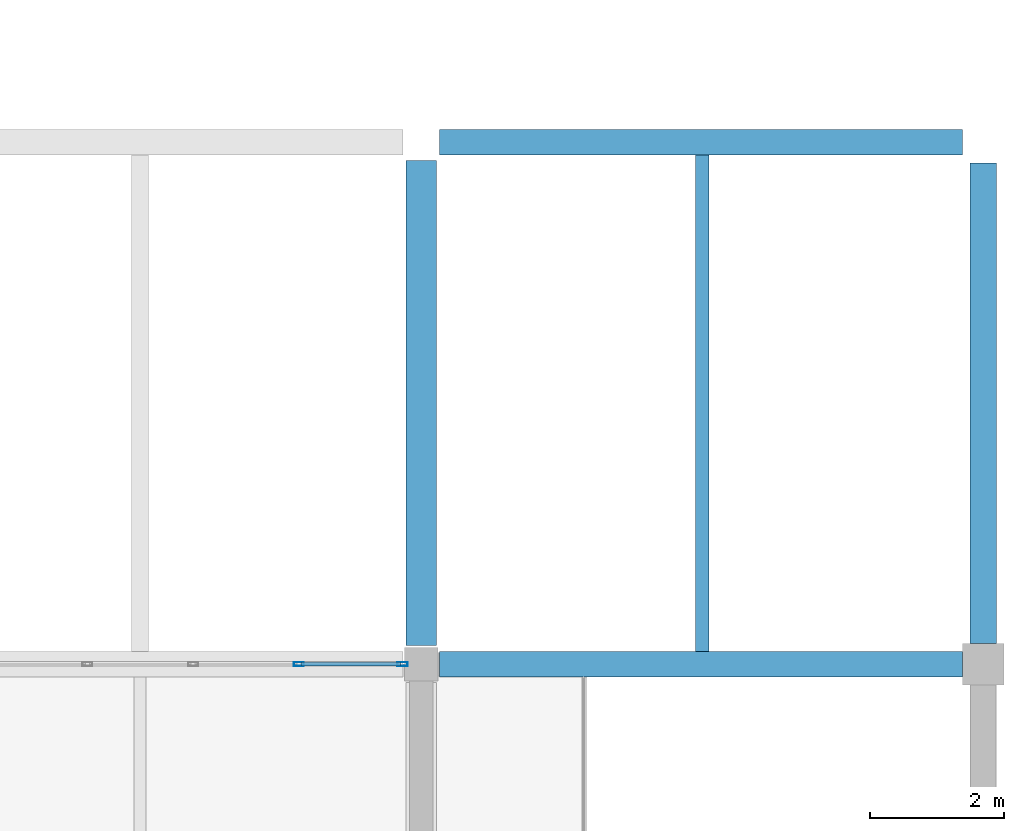
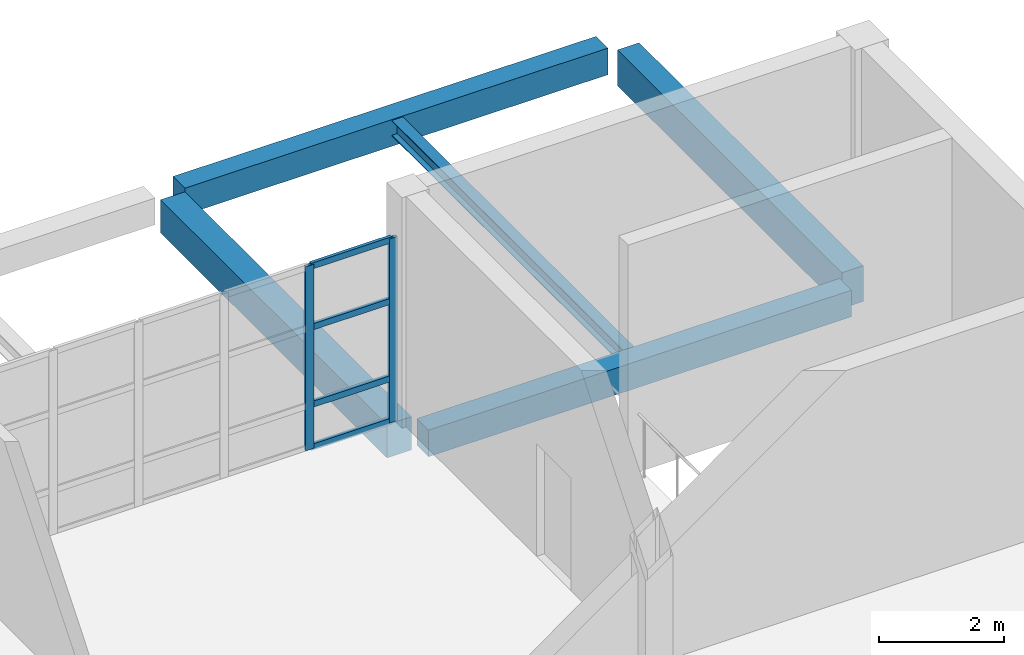
# One storey, part 34 of 53: 6 members, 5 beams, 1 element without a shape of its own.
"""IFC4 building model written with IfcOpenShell, lengths in metres."""

from ifc_helpers import new_model, si_unit, direction, frame, origin, origin_2d, place, context, subcontext, project, spatial, rectangle, hollow_rectangle, i_section, extrude, material, material_profile, profile_set, type_object, element, aggregate, save


model = new_model("IFC4")

# Units and contexts
model_context = context("Model", 3, precision=1e-05, world=origin(), true_north=direction((0.0, 1.0)))
body_context = subcontext(model_context, "Body", "Model", "MODEL_VIEW")
ifc_project = project(units=[si_unit("LENGTHUNIT", "METRE"), si_unit("AREAUNIT", "SQUARE_METRE"), si_unit("VOLUMEUNIT", "CUBIC_METRE"), si_unit("PLANEANGLEUNIT", "RADIAN"), si_unit("MASSUNIT", "GRAM", prefix="KILO")], contexts=[model_context])

# Site, building, storey
site_placement = place(None, origin())
site = spatial("IfcSite", under=ifc_project, at=site_placement, CompositionType="ELEMENT")
building_placement = place(site_placement, origin())
building = spatial("IfcBuilding", under=site, at=building_placement, Name="Pellamere Symphony Hall", CompositionType="ELEMENT")
storey_placement = place(building_placement, frame((0.0, 0.0, 24.0)))
storey = spatial("IfcBuildingStorey", under=building, at=storey_placement, Name="L05", CompositionType="ELEMENT", Elevation=24.0)

# Curtain wall, members
ifc_material_1 = material(Name="Thermally Broken Anodised Aluminium 6063-T6 Curtain Wall", Category="aluminium")
curtain_wall_type = type_object("IfcCurtainWallType", Name="Curtain Wall CW-05 (Artists Wing North Studio Ribbon Curtain Wall)", PredefinedType="NOTDEFINED", material=ifc_material_1)
curtain_wall_placement = place(storey_placement, origin())
curtain_wall = element("IfcCurtainWall", 1, at=curtain_wall_placement, inside=storey, type_object=curtain_wall_type, Name="Artists Wing North Studio Curtain Wall (L05 Bay 2)", PredefinedType="NOTDEFINED")
ifc_material_2 = material(Name="Anodised Architectural Aluminium 6063-T6", Category="aluminium")
ifc_material_profile_1 = material_profile(ifc_material_2, hollow_rectangle(XDim=0.06005859375, YDim=0.14990234375, WallThickness=0.00390625, at=origin_2d()), Name="ALU-M60X150X4")
ifc_profile_set_1 = profile_set([ifc_material_profile_1], Name="Anodised Architectural Aluminium 6063-T6")
member_type_1 = type_object("IfcMemberType", Name="Curtain Wall Mullion ML-03 ALU-M60X150X4", PredefinedType="MULLION", material=ifc_profile_set_1)
member_1_placement = place(storey_placement, frame((162.570068359375, 77.39990234375, 0.0), z_axis=(0.0, 0.0, 1.0), x_axis=(0.0, 1.0, 0.0)))
member_1 = element("IfcMember", 2, at=member_1_placement, type_object=member_type_1, Name="CW5-149 crystal mullion 5", PredefinedType="MULLION", context=body_context, shape_type="SweptSolid", body=[
    extrude(hollow_rectangle(XDim=0.06005859375, YDim=0.14990234375, WallThickness=0.00390625, at=origin_2d()), origin(), (0.0, 0.0, 1.0), 3.60009765625),
])
member_2_placement = place(storey_placement, frame((164.1201171875, 77.39990234375, 0.0), z_axis=(0.0, 0.0, 1.0), x_axis=(0.0, 1.0, 0.0)))
member_2 = element("IfcMember", 3, at=member_2_placement, type_object=member_type_1, Name="CW5-149 crystal mullion 6", PredefinedType="MULLION", context=body_context, shape_type="SweptSolid", body=[
    extrude(hollow_rectangle(XDim=0.06005859375, YDim=0.14990234375, WallThickness=0.00390625, at=origin_2d()), origin(), (0.0, 0.0, 1.0), 3.60009765625),
])
ifc_material_profile_2 = material_profile(ifc_material_2, hollow_rectangle(XDim=0.06005859375, YDim=0.1201171875, WallThickness=0.00390625, at=origin_2d()), Name="ALU-T60X120X4")
ifc_profile_set_2 = profile_set([ifc_material_profile_2], Name="Anodised Architectural Aluminium 6063-T6")
member_type_2 = type_object("IfcMemberType", Name="Curtain Wall Transom TR-03 ALU-T60X120X4", PredefinedType="USERDEFINED", material=ifc_profile_set_2)
member_3_placement = place(storey_placement, frame((162.60009765625, 77.39990234375, 0.030029296875), z_axis=(1.0, 0.0, 0.0), x_axis=(0.0, 1.0, 0.0)))
member_3 = element("IfcMember", 4, at=member_3_placement, type_object=member_type_2, Name="CW5-149 crystal transom 5.1", ObjectType="TRANSOM", PredefinedType="USERDEFINED", context=body_context, shape_type="SweptSolid", body=[
    extrude(hollow_rectangle(XDim=0.06005859375, YDim=0.1201171875, WallThickness=0.00390625, at=origin_2d()), origin(), (0.0, 0.0, 1.0), 1.489990234375),
])
member_4_placement = place(storey_placement, frame((162.60009765625, 77.39990234375, 0.864013671875), z_axis=(1.0, 0.0, 0.0), x_axis=(0.0, 1.0, 0.0)))
member_4 = element("IfcMember", 5, at=member_4_placement, type_object=member_type_2, Name="CW5-149 crystal transom 5.2", ObjectType="TRANSOM", PredefinedType="USERDEFINED", context=body_context, shape_type="SweptSolid", body=[
    extrude(hollow_rectangle(XDim=0.06005859375, YDim=0.1201171875, WallThickness=0.00390625, at=origin_2d()), origin(), (0.0, 0.0, 1.0), 1.489990234375),
])
member_5_placement = place(storey_placement, frame((162.60009765625, 77.39990234375, 2.3759765625), z_axis=(1.0, 0.0, 0.0), x_axis=(0.0, 1.0, 0.0)))
member_5 = element("IfcMember", 6, at=member_5_placement, type_object=member_type_2, Name="CW5-149 crystal transom 5.3", ObjectType="TRANSOM", PredefinedType="USERDEFINED", context=body_context, shape_type="SweptSolid", body=[
    extrude(hollow_rectangle(XDim=0.06005859375, YDim=0.1201171875, WallThickness=0.00390625, at=origin_2d()), origin(), (0.0, 0.0, 1.0), 1.489990234375),
])
member_6_placement = place(storey_placement, frame((162.60009765625, 77.39990234375, 3.570068359375), z_axis=(1.0, 0.0, 0.0), x_axis=(0.0, 1.0, 0.0)))
member_6 = element("IfcMember", 7, at=member_6_placement, type_object=member_type_2, Name="CW5-149 crystal transom 5.4", ObjectType="TRANSOM", PredefinedType="USERDEFINED", context=body_context, shape_type="SweptSolid", body=[
    extrude(hollow_rectangle(XDim=0.06005859375, YDim=0.1201171875, WallThickness=0.00390625, at=origin_2d()), origin(), (0.0, 0.0, 1.0), 1.489990234375),
])
aggregate(curtain_wall, [member_1, member_2, member_3, member_4, member_5, member_6])

# Beams
ifc_material_3 = material(Name="Concrete 40 MPa", Category="concrete")
ifc_material_profile_3 = material_profile(ifc_material_3, rectangle(XDim=0.449951171875, YDim=0.64990234375, at=origin_2d()), Name="RC 450x650")
ifc_profile_set_3 = profile_set([ifc_material_profile_3], Name="Concrete 40 MPa")
beam_type_1 = type_object("IfcBeamType", Name="RC CB-08 450x650", PredefinedType="BEAM", material=ifc_profile_set_3)
beam_1_placement = place(storey_placement, frame((164.39990234375, 77.675048828125, -0.5849609375), z_axis=(0.0, 1.0, 0.0), x_axis=(-1.0, 0.0, 0.0)))
element("IfcBeam", 8, at=beam_1_placement, inside=storey, type_object=beam_type_1, Name="Girder CB-08-Y2135 (L05)", PredefinedType="BEAM", context=body_context, shape_type="SweptSolid", body=[
    extrude(rectangle(XDim=0.449951171875, YDim=0.64990234375, at=origin_2d()), origin(), (0.0, 0.0, 1.0), 7.25),
])
ifc_material_profile_4 = material_profile(ifc_material_3, rectangle(XDim=0.39990234375, YDim=0.699951171875, at=origin_2d()), Name="RC 400x700")
ifc_profile_set_4 = profile_set([ifc_material_profile_4], Name="Concrete 40 MPa")
beam_type_2 = type_object("IfcBeamType", Name="RC CB-13 400x700", PredefinedType="SPANDREL", material=ifc_profile_set_4)
beam_2_placement = place(storey_placement, frame((172.800048828125, 77.7099609375, -0.610107421875), z_axis=(0.0, 1.0, 0.0), x_axis=(-1.0, 0.0, 0.0)))
element("IfcBeam", 9, at=beam_2_placement, inside=storey, type_object=beam_type_2, Name="Girder CB-13-Y2142 (L05)", PredefinedType="SPANDREL", context=body_context, shape_type="SweptSolid", body=[
    extrude(rectangle(XDim=0.39990234375, YDim=0.699951171875, at=origin_2d()), origin(), (0.0, 0.0, 1.0), 7.179931640625),
])
ifc_material_profile_5 = material_profile(ifc_material_3, rectangle(XDim=0.3798828125, YDim=0.52001953125, at=origin_2d()), Name="RC 380x520")
ifc_profile_set_5 = profile_set([ifc_material_profile_5], Name="Concrete 40 MPa")
beam_type_3 = type_object("IfcBeamType", Name="RC CB-21 380x520", PredefinedType="BEAM", material=ifc_profile_set_5)
for number, where, z_axis, x_axis, name in (
    (10, (164.675048828125, 77.39990234375, -0.52001953125), (1.0, 0.0, 0.0), (0.0, 1.0, 0.0), "Girder CB-21-X2055 (L05)"),
    (11, (164.675048828125, 85.199951171875, -0.52001953125), (1.0, 0.0, 0.0), (0.0, 1.0, 0.0), "Girder CB-21-X2060 (L05)"),
):
    element("IfcBeam", number, at=place(storey_placement, frame(where, z_axis=z_axis, x_axis=x_axis)), inside=storey, type_object=beam_type_3, Name=name, PredefinedType="BEAM", context=body_context, shape_type="SweptSolid", body=[
        extrude(rectangle(XDim=0.3798828125, YDim=0.52001953125, at=origin_2d()), origin(), (0.0, 0.0, 1.0), 7.81494140625),
    ])
ifc_material_4 = material(Name="Steel CSA G40.21 350W", Category="steel")
ifc_material_profile_6 = material_profile(ifc_material_4, i_section(OverallWidth=0.202880859375, OverallDepth=0.302978515625, WebThickness=0.007568359375, FlangeThickness=0.01318359375, at=origin_2d()), Name="W310X60")
ifc_profile_set_6 = profile_set([ifc_material_profile_6], Name="Steel CSA G40.21 350W")
beam_type_4 = type_object("IfcBeamType", Name="Steel Joist SB-23 W310X60", PredefinedType="JOIST", material=ifc_profile_set_6)
beam_3_placement = place(storey_placement, frame((168.60009765625, 77.590087890625, -0.426513671875), z_axis=(0.0, 1.0, 0.0), x_axis=(-1.0, 0.0, 0.0)))
element("IfcBeam", 12, at=beam_3_placement, inside=storey, type_object=beam_type_4, Name="Secondary Floor Beam SB-23-M2010 (L05)", PredefinedType="JOIST", context=body_context, shape_type="SweptSolid", body=[
    extrude(i_section(OverallWidth=0.202880859375, OverallDepth=0.302978515625, WebThickness=0.007568359375, FlangeThickness=0.01318359375, at=origin_2d()), origin(), (0.0, 0.0, 1.0), 7.419921875),
])

save(model, "model.ifc")
